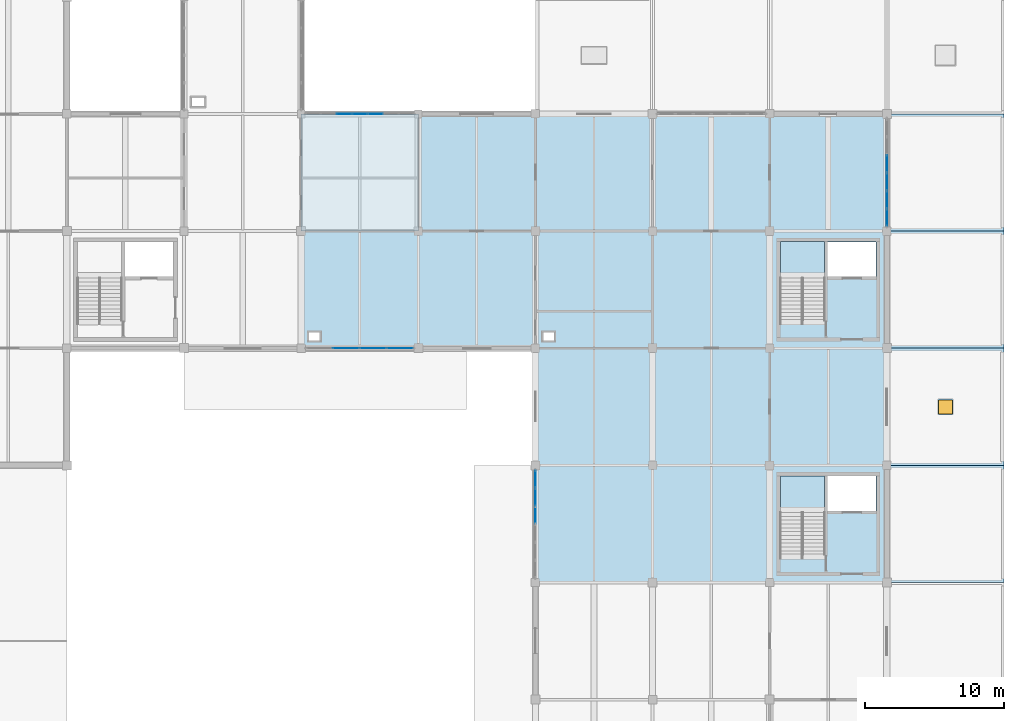
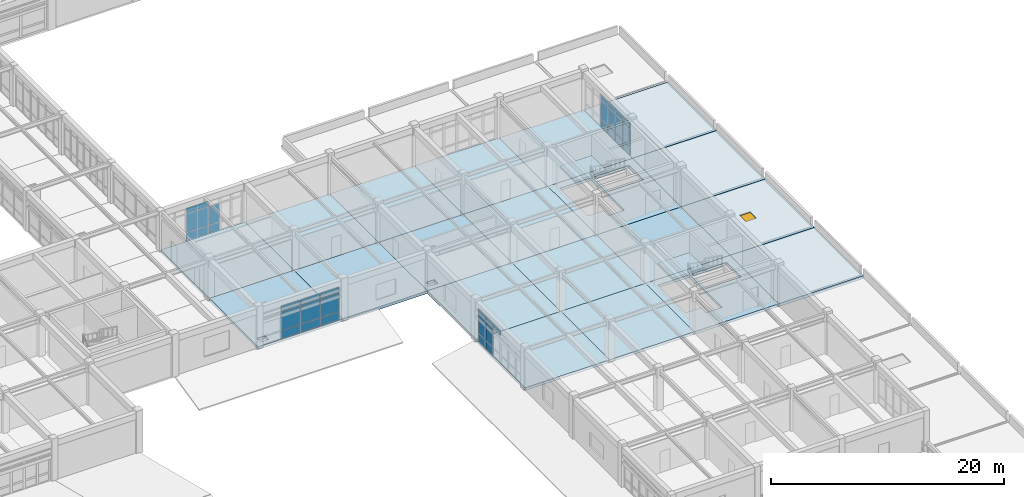
# One storey, part 55 of 78: 36 plates, 22 slabs, 1 window, 1 opening, 6 elements without a shape of their own.
"""IFC4 building model written with IfcOpenShell, lengths in metres."""

from ifc_helpers import new_model, si_unit, direction, frame, origin, origin_2d, place, context, subcontext, project, spatial, polyline, rectangle, outline, extrude, material, layer, layer_set, type_object, element, fill, aggregate, save


model = new_model("IFC4")

# Units and contexts
model_context = context("Model", 3, precision=1e-05, world=origin(), true_north=direction((0.0, 1.0)))
body_context = subcontext(model_context, "Body", "Model", "MODEL_VIEW")
ifc_project = project(units=[si_unit("LENGTHUNIT", "METRE"), si_unit("AREAUNIT", "SQUARE_METRE"), si_unit("VOLUMEUNIT", "CUBIC_METRE"), si_unit("PLANEANGLEUNIT", "RADIAN"), si_unit("MASSUNIT", "GRAM", prefix="KILO")], contexts=[model_context])

# Site, building, storey
site_placement = place(None, origin())
site = spatial("IfcSite", under=ifc_project, at=site_placement, CompositionType="ELEMENT")
building_placement = place(site_placement, origin())
building = spatial("IfcBuilding", under=site, at=building_placement, Name="Porcellanite Civic Hall", CompositionType="ELEMENT")
storey_placement = place(building_placement, frame((0.0, 0.0, 10.260009765625)))
storey = spatial("IfcBuildingStorey", under=building, at=storey_placement, Name="L02", CompositionType="ELEMENT", Elevation=10.260009765625)

# Curtain wall, plates
ifc_material_1 = material(Name="Anodised aluminium and solar laminated glass", Category="aluminium")
ifc_layer_1 = layer(ifc_material_1, 0.179931640625)
ifc_layer_set_1 = layer_set([ifc_layer_1], Name="Anodised aluminium and solar laminated glass")
curtain_wall_type_1 = type_object("IfcCurtainWallType", Name="CW-SYS06", PredefinedType="NOTDEFINED", material=ifc_layer_set_1)
curtain_wall_1_placement = place(storey_placement, origin())
curtain_wall_1 = element("IfcCurtainWall", 1, at=curtain_wall_1_placement, inside=storey, type_object=curtain_wall_type_1, Name="Curtain wall CW-170", PredefinedType="NOTDEFINED")
ifc_material_2 = material(Name="Cyclone laminated solar-control low-E glass", Category="glass")
ifc_layer_2 = layer(ifc_material_2, 0.02392578125)
ifc_layer_set_2 = layer_set([ifc_layer_2], Name="Cyclone laminated solar-control low-E glass")
plate_type_1 = type_object("IfcPlateType", Name="CWP-01", PredefinedType="CURTAIN_PANEL", material=ifc_layer_set_2)
plate_1_placement = place(storey_placement, frame((133.086181640625, 50.39990234375, 0.0498046875), z_axis=(0.0, 0.0, 1.0), x_axis=(-1.0, 0.0, 0.0)))
plate_1 = element("IfcPlate", 2, at=plate_1_placement, type_object=plate_type_1, Name="CW-170 panel 1.1", PredefinedType="CURTAIN_PANEL", context=body_context, shape_type="SweptSolid", body=[
    extrude(rectangle(XDim=1.845703125, YDim=0.02392578125, at=origin_2d()), origin(), (0.0, 0.0, 1.0), 0.824951171875),
])
plate_2_placement = place(storey_placement, frame((133.086181640625, 50.39990234375, 0.925048828125), z_axis=(0.0, 0.0, 1.0), x_axis=(-1.0, 0.0, 0.0)))
plate_2 = element("IfcPlate", 3, at=plate_2_placement, type_object=plate_type_1, Name="CW-170 panel 1.2", PredefinedType="CURTAIN_PANEL", context=body_context, shape_type="SweptSolid", body=[
    extrude(rectangle(XDim=1.845703125, YDim=0.02392578125, at=origin_2d()), origin(), (0.0, 0.0, 1.0), 1.93994140625),
])
plate_3_placement = place(storey_placement, frame((133.086181640625, 50.39990234375, 2.9150390625), z_axis=(0.0, 0.0, 1.0), x_axis=(-1.0, 0.0, 0.0)))
plate_3 = element("IfcPlate", 4, at=plate_3_placement, type_object=plate_type_1, Name="CW-170 panel 1.3", PredefinedType="CURTAIN_PANEL", context=body_context, shape_type="SweptSolid", body=[
    extrude(rectangle(XDim=1.845703125, YDim=0.02392578125, at=origin_2d()), origin(), (0.0, 0.0, 1.0), 0.574951171875),
])
plate_4_placement = place(storey_placement, frame((131.1591796875, 50.39990234375, 0.0498046875), z_axis=(0.0, 0.0, 1.0), x_axis=(-1.0, 0.0, 0.0)))
plate_4 = element("IfcPlate", 5, at=plate_4_placement, type_object=plate_type_1, Name="CW-170 panel 2.1", PredefinedType="CURTAIN_PANEL", context=body_context, shape_type="SweptSolid", body=[
    extrude(rectangle(XDim=1.878173828125, YDim=0.02392578125, at=origin_2d()), origin(), (0.0, 0.0, 1.0), 0.824951171875),
])
plate_5_placement = place(storey_placement, frame((131.1591796875, 50.39990234375, 0.925048828125), z_axis=(0.0, 0.0, 1.0), x_axis=(-1.0, 0.0, 0.0)))
plate_5 = element("IfcPlate", 6, at=plate_5_placement, type_object=plate_type_1, Name="CW-170 panel 2.2", PredefinedType="CURTAIN_PANEL", context=body_context, shape_type="SweptSolid", body=[
    extrude(rectangle(XDim=1.878173828125, YDim=0.02392578125, at=origin_2d()), origin(), (0.0, 0.0, 1.0), 1.93994140625),
])
plate_6_placement = place(storey_placement, frame((131.1591796875, 50.39990234375, 2.9150390625), z_axis=(0.0, 0.0, 1.0), x_axis=(-1.0, 0.0, 0.0)))
plate_6 = element("IfcPlate", 7, at=plate_6_placement, type_object=plate_type_1, Name="CW-170 panel 2.3", PredefinedType="CURTAIN_PANEL", context=body_context, shape_type="SweptSolid", body=[
    extrude(rectangle(XDim=1.878173828125, YDim=0.02392578125, at=origin_2d()), origin(), (0.0, 0.0, 1.0), 0.574951171875),
])
plate_7_placement = place(storey_placement, frame((129.2158203125, 50.39990234375, 0.0498046875), z_axis=(0.0, 0.0, 1.0), x_axis=(-1.0, 0.0, 0.0)))
plate_7 = element("IfcPlate", 8, at=plate_7_placement, type_object=plate_type_1, Name="CW-170 panel 3.1", PredefinedType="CURTAIN_PANEL", context=body_context, shape_type="SweptSolid", body=[
    extrude(rectangle(XDim=1.878173828125, YDim=0.02392578125, at=origin_2d()), origin(), (0.0, 0.0, 1.0), 0.824951171875),
])
plate_8_placement = place(storey_placement, frame((129.2158203125, 50.39990234375, 0.925048828125), z_axis=(0.0, 0.0, 1.0), x_axis=(-1.0, 0.0, 0.0)))
plate_8 = element("IfcPlate", 9, at=plate_8_placement, type_object=plate_type_1, Name="CW-170 panel 3.2", PredefinedType="CURTAIN_PANEL", context=body_context, shape_type="SweptSolid", body=[
    extrude(rectangle(XDim=1.878173828125, YDim=0.02392578125, at=origin_2d()), origin(), (0.0, 0.0, 1.0), 1.93994140625),
])
plate_9_placement = place(storey_placement, frame((129.2158203125, 50.39990234375, 2.9150390625), z_axis=(0.0, 0.0, 1.0), x_axis=(-1.0, 0.0, 0.0)))
plate_9 = element("IfcPlate", 10, at=plate_9_placement, type_object=plate_type_1, Name="CW-170 panel 3.3", PredefinedType="CURTAIN_PANEL", context=body_context, shape_type="SweptSolid", body=[
    extrude(rectangle(XDim=1.878173828125, YDim=0.02392578125, at=origin_2d()), origin(), (0.0, 0.0, 1.0), 0.574951171875),
])
aggregate(curtain_wall_1, [plate_1, plate_2, plate_3, plate_4, plate_5, plate_6, plate_7, plate_8, plate_9])

ifc_material_3 = material(Name="Anodised aluminium and solar laminated glass", Category="aluminium")
ifc_layer_3 = layer(ifc_material_3, 0.179931640625)
ifc_layer_set_3 = layer_set([ifc_layer_3], Name="Anodised aluminium and solar laminated glass")
curtain_wall_type_2 = type_object("IfcCurtainWallType", Name="CW-SYS07", PredefinedType="NOTDEFINED", material=ifc_layer_set_3)
curtain_wall_2_placement = place(storey_placement, origin())
curtain_wall_2 = element("IfcCurtainWall", 11, at=curtain_wall_2_placement, inside=storey, type_object=curtain_wall_type_2, Name="Curtain wall CW-171", PredefinedType="NOTDEFINED")
ifc_material_4 = material(Name="Cyclone laminated solar-control low-E glass", Category="glass")
ifc_layer_4 = layer(ifc_material_4, 0.02587890625)
ifc_layer_set_4 = layer_set([ifc_layer_4], Name="Cyclone laminated solar-control low-E glass")
plate_type_2 = type_object("IfcPlateType", Name="CWP-02", PredefinedType="CURTAIN_PANEL", material=ifc_layer_set_4)
plate_10_placement = place(storey_placement, frame((129.078857421875, 67.199951171875, 0.0498046875), z_axis=(0.0, 0.0, 1.0), x_axis=(1.0, 0.0, 0.0)))
plate_10 = element("IfcPlate", 12, at=plate_10_placement, type_object=plate_type_2, Name="CW-171 panel 3.1", PredefinedType="CURTAIN_PANEL", context=body_context, shape_type="SweptSolid", body=[
    extrude(rectangle(XDim=1.06103515625, YDim=0.02587890625, at=origin_2d()), origin(), (0.0, 0.0, 1.0), 0.824951171875),
])
plate_11_placement = place(storey_placement, frame((129.078857421875, 67.199951171875, 0.925048828125), z_axis=(0.0, 0.0, 1.0), x_axis=(1.0, 0.0, 0.0)))
plate_11 = element("IfcPlate", 13, at=plate_11_placement, type_object=plate_type_2, Name="CW-171 panel 3.2", PredefinedType="CURTAIN_PANEL", context=body_context, shape_type="SweptSolid", body=[
    extrude(rectangle(XDim=1.06103515625, YDim=0.02587890625, at=origin_2d()), origin(), (0.0, 0.0, 1.0), 1.93994140625),
])
plate_12_placement = place(storey_placement, frame((129.078857421875, 67.199951171875, 2.9150390625), z_axis=(0.0, 0.0, 1.0), x_axis=(1.0, 0.0, 0.0)))
plate_12 = element("IfcPlate", 14, at=plate_12_placement, type_object=plate_type_2, Name="CW-171 panel 3.3", PredefinedType="CURTAIN_PANEL", context=body_context, shape_type="SweptSolid", body=[
    extrude(rectangle(XDim=1.06103515625, YDim=0.02587890625, at=origin_2d()), origin(), (0.0, 0.0, 1.0), 0.574951171875),
])
plate_13_placement = place(storey_placement, frame((130.199951171875, 67.199951171875, 0.0498046875), z_axis=(0.0, 0.0, 1.0), x_axis=(1.0, 0.0, 0.0)))
plate_13 = element("IfcPlate", 15, at=plate_13_placement, type_object=plate_type_2, Name="CW-171 panel 4.1", PredefinedType="CURTAIN_PANEL", context=body_context, shape_type="SweptSolid", body=[
    extrude(rectangle(XDim=1.06103515625, YDim=0.02587890625, at=origin_2d()), origin(), (0.0, 0.0, 1.0), 0.824951171875),
])
plate_14_placement = place(storey_placement, frame((130.199951171875, 67.199951171875, 0.925048828125), z_axis=(0.0, 0.0, 1.0), x_axis=(1.0, 0.0, 0.0)))
plate_14 = element("IfcPlate", 16, at=plate_14_placement, type_object=plate_type_2, Name="CW-171 panel 4.2", PredefinedType="CURTAIN_PANEL", context=body_context, shape_type="SweptSolid", body=[
    extrude(rectangle(XDim=1.06103515625, YDim=0.02587890625, at=origin_2d()), origin(), (0.0, 0.0, 1.0), 1.93994140625),
])
plate_15_placement = place(storey_placement, frame((130.199951171875, 67.199951171875, 2.9150390625), z_axis=(0.0, 0.0, 1.0), x_axis=(1.0, 0.0, 0.0)))
plate_15 = element("IfcPlate", 17, at=plate_15_placement, type_object=plate_type_2, Name="CW-171 panel 4.3", PredefinedType="CURTAIN_PANEL", context=body_context, shape_type="SweptSolid", body=[
    extrude(rectangle(XDim=1.06103515625, YDim=0.02587890625, at=origin_2d()), origin(), (0.0, 0.0, 1.0), 0.574951171875),
])
plate_16_placement = place(storey_placement, frame((131.321044921875, 67.199951171875, 0.0498046875), z_axis=(0.0, 0.0, 1.0), x_axis=(1.0, 0.0, 0.0)))
plate_16 = element("IfcPlate", 18, at=plate_16_placement, type_object=plate_type_2, Name="CW-171 panel 5.1", PredefinedType="CURTAIN_PANEL", context=body_context, shape_type="SweptSolid", body=[
    extrude(rectangle(XDim=1.06103515625, YDim=0.02587890625, at=origin_2d()), origin(), (0.0, 0.0, 1.0), 0.824951171875),
])
plate_17_placement = place(storey_placement, frame((131.321044921875, 67.199951171875, 0.925048828125), z_axis=(0.0, 0.0, 1.0), x_axis=(1.0, 0.0, 0.0)))
plate_17 = element("IfcPlate", 19, at=plate_17_placement, type_object=plate_type_2, Name="CW-171 panel 5.2", PredefinedType="CURTAIN_PANEL", context=body_context, shape_type="SweptSolid", body=[
    extrude(rectangle(XDim=1.06103515625, YDim=0.02587890625, at=origin_2d()), origin(), (0.0, 0.0, 1.0), 1.93994140625),
])
aggregate(curtain_wall_2, [plate_10, plate_11, plate_12, plate_13, plate_14, plate_15, plate_16, plate_17])

ifc_material_5 = material(Name="Anodised aluminium and solar laminated glass", Category="aluminium")
ifc_layer_5 = layer(ifc_material_5, 0.179931640625)
ifc_layer_set_5 = layer_set([ifc_layer_5], Name="Anodised aluminium and solar laminated glass")
curtain_wall_type_3 = type_object("IfcCurtainWallType", Name="CW-SYS02", PredefinedType="NOTDEFINED", material=ifc_layer_set_5)
curtain_wall_3_placement = place(storey_placement, origin())
curtain_wall_3 = element("IfcCurtainWall", 20, at=curtain_wall_3_placement, inside=storey, type_object=curtain_wall_type_3, Name="Curtain wall CW-175", PredefinedType="NOTDEFINED")
plate_18_placement = place(storey_placement, frame((142.800048828125, 38.435302734375, 2.92236328125), z_axis=(0.0, 0.0, 1.0), x_axis=(0.0, 1.0, 0.0)))
plate_18 = element("IfcPlate", 21, at=plate_18_placement, type_object=plate_type_2, Name="CW-175 panel 4.3", PredefinedType="CURTAIN_PANEL", context=body_context, shape_type="SweptSolid", body=[
    extrude(rectangle(XDim=1.220458984375, YDim=0.02587890625, at=origin_2d()), origin(), (0.0, 0.0, 1.0), 0.552490234375),
])
plate_19_placement = place(storey_placement, frame((142.800048828125, 39.730712890625, 0.06494140625), z_axis=(0.0, 0.0, 1.0), x_axis=(0.0, 1.0, 0.0)))
plate_19 = element("IfcPlate", 22, at=plate_19_placement, type_object=plate_type_2, Name="CW-175 panel 5.1", PredefinedType="CURTAIN_PANEL", context=body_context, shape_type="SweptSolid", body=[
    extrude(rectangle(XDim=1.220458984375, YDim=0.02587890625, at=origin_2d()), origin(), (0.0, 0.0, 1.0), 0.802490234375),
])
plate_20_placement = place(storey_placement, frame((142.800048828125, 39.730712890625, 0.9326171875), z_axis=(0.0, 0.0, 1.0), x_axis=(0.0, 1.0, 0.0)))
plate_20 = element("IfcPlate", 23, at=plate_20_placement, type_object=plate_type_2, Name="CW-175 panel 5.2", PredefinedType="CURTAIN_PANEL", context=body_context, shape_type="SweptSolid", body=[
    extrude(rectangle(XDim=1.220458984375, YDim=0.02587890625, at=origin_2d()), origin(), (0.0, 0.0, 1.0), 1.925048828125),
])
plate_21_placement = place(storey_placement, frame((142.800048828125, 39.730712890625, 2.92236328125), z_axis=(0.0, 0.0, 1.0), x_axis=(0.0, 1.0, 0.0)))
plate_21 = element("IfcPlate", 24, at=plate_21_placement, type_object=plate_type_2, Name="CW-175 panel 5.3", PredefinedType="CURTAIN_PANEL", context=body_context, shape_type="SweptSolid", body=[
    extrude(rectangle(XDim=1.220458984375, YDim=0.02587890625, at=origin_2d()), origin(), (0.0, 0.0, 1.0), 0.552490234375),
])
plate_22_placement = place(storey_placement, frame((142.800048828125, 41.007568359375, 0.06494140625), z_axis=(0.0, 0.0, 1.0), x_axis=(0.0, 1.0, 0.0)))
plate_22 = element("IfcPlate", 25, at=plate_22_placement, type_object=plate_type_2, Name="CW-175 panel 6.1", PredefinedType="CURTAIN_PANEL", context=body_context, shape_type="SweptSolid", body=[
    extrude(rectangle(XDim=1.18310546875, YDim=0.02587890625, at=origin_2d()), origin(), (0.0, 0.0, 1.0), 0.802490234375),
])
plate_23_placement = place(storey_placement, frame((142.800048828125, 41.007568359375, 0.9326171875), z_axis=(0.0, 0.0, 1.0), x_axis=(0.0, 1.0, 0.0)))
plate_23 = element("IfcPlate", 26, at=plate_23_placement, type_object=plate_type_2, Name="CW-175 panel 6.2", PredefinedType="CURTAIN_PANEL", context=body_context, shape_type="SweptSolid", body=[
    extrude(rectangle(XDim=1.18310546875, YDim=0.02587890625, at=origin_2d()), origin(), (0.0, 0.0, 1.0), 1.925048828125),
])
plate_24_placement = place(storey_placement, frame((142.800048828125, 41.007568359375, 2.92236328125), z_axis=(0.0, 0.0, 1.0), x_axis=(0.0, 1.0, 0.0)))
plate_24 = element("IfcPlate", 27, at=plate_24_placement, type_object=plate_type_2, Name="CW-175 panel 6.3", PredefinedType="CURTAIN_PANEL", context=body_context, shape_type="SweptSolid", body=[
    extrude(rectangle(XDim=1.18310546875, YDim=0.02587890625, at=origin_2d()), origin(), (0.0, 0.0, 1.0), 0.552490234375),
])
aggregate(curtain_wall_3, [plate_18, plate_19, plate_20, plate_21, plate_22, plate_23, plate_24])

curtain_wall_4_placement = place(storey_placement, origin())
curtain_wall_4 = element("IfcCurtainWall", 28, at=curtain_wall_4_placement, inside=storey, type_object=curtain_wall_type_3, Name="Curtain wall CW-182", PredefinedType="NOTDEFINED")
plate_25_placement = place(storey_placement, frame((168.0, 63.63525390625, 0.06494140625), z_axis=(0.0, 0.0, 1.0), x_axis=(0.0, -1.0, 0.0)))
plate_25 = element("IfcPlate", 29, at=plate_25_placement, type_object=plate_type_2, Name="CW-182 panel 3.1", PredefinedType="CURTAIN_PANEL", context=body_context, shape_type="SweptSolid", body=[
    extrude(rectangle(XDim=1.220458984375, YDim=0.02587890625, at=origin_2d()), origin(), (0.0, 0.0, 1.0), 0.802490234375),
])
plate_26_placement = place(storey_placement, frame((168.0, 63.63525390625, 0.9326171875), z_axis=(0.0, 0.0, 1.0), x_axis=(0.0, -1.0, 0.0)))
plate_26 = element("IfcPlate", 30, at=plate_26_placement, type_object=plate_type_2, Name="CW-182 panel 3.2", PredefinedType="CURTAIN_PANEL", context=body_context, shape_type="SweptSolid", body=[
    extrude(rectangle(XDim=1.220458984375, YDim=0.02587890625, at=origin_2d()), origin(), (0.0, 0.0, 1.0), 1.925048828125),
])
plate_27_placement = place(storey_placement, frame((168.0, 63.63525390625, 2.92236328125), z_axis=(0.0, 0.0, 1.0), x_axis=(0.0, -1.0, 0.0)))
plate_27 = element("IfcPlate", 31, at=plate_27_placement, type_object=plate_type_2, Name="CW-182 panel 3.3", PredefinedType="CURTAIN_PANEL", context=body_context, shape_type="SweptSolid", body=[
    extrude(rectangle(XDim=1.220458984375, YDim=0.02587890625, at=origin_2d()), origin(), (0.0, 0.0, 1.0), 0.552490234375),
])
plate_28_placement = place(storey_placement, frame((168.0, 62.33984375, 0.06494140625), z_axis=(0.0, 0.0, 1.0), x_axis=(0.0, -1.0, 0.0)))
plate_28 = element("IfcPlate", 32, at=plate_28_placement, type_object=plate_type_2, Name="CW-182 panel 4.1", PredefinedType="CURTAIN_PANEL", context=body_context, shape_type="SweptSolid", body=[
    extrude(rectangle(XDim=1.220458984375, YDim=0.02587890625, at=origin_2d()), origin(), (0.0, 0.0, 1.0), 0.802490234375),
])
plate_29_placement = place(storey_placement, frame((168.0, 62.33984375, 0.9326171875), z_axis=(0.0, 0.0, 1.0), x_axis=(0.0, -1.0, 0.0)))
plate_29 = element("IfcPlate", 33, at=plate_29_placement, type_object=plate_type_2, Name="CW-182 panel 4.2", PredefinedType="CURTAIN_PANEL", context=body_context, shape_type="SweptSolid", body=[
    extrude(rectangle(XDim=1.220458984375, YDim=0.02587890625, at=origin_2d()), origin(), (0.0, 0.0, 1.0), 1.925048828125),
])
plate_30_placement = place(storey_placement, frame((168.0, 62.33984375, 2.92236328125), z_axis=(0.0, 0.0, 1.0), x_axis=(0.0, -1.0, 0.0)))
plate_30 = element("IfcPlate", 34, at=plate_30_placement, type_object=plate_type_2, Name="CW-182 panel 4.3", PredefinedType="CURTAIN_PANEL", context=body_context, shape_type="SweptSolid", body=[
    extrude(rectangle(XDim=1.220458984375, YDim=0.02587890625, at=origin_2d()), origin(), (0.0, 0.0, 1.0), 0.552490234375),
])
plate_31_placement = place(storey_placement, frame((168.0, 61.044189453125, 0.06494140625), z_axis=(0.0, 0.0, 1.0), x_axis=(0.0, -1.0, 0.0)))
plate_31 = element("IfcPlate", 35, at=plate_31_placement, type_object=plate_type_2, Name="CW-182 panel 5.1", PredefinedType="CURTAIN_PANEL", context=body_context, shape_type="SweptSolid", body=[
    extrude(rectangle(XDim=1.220458984375, YDim=0.02587890625, at=origin_2d()), origin(), (0.0, 0.0, 1.0), 0.802490234375),
])
plate_32_placement = place(storey_placement, frame((168.0, 61.044189453125, 0.9326171875), z_axis=(0.0, 0.0, 1.0), x_axis=(0.0, -1.0, 0.0)))
plate_32 = element("IfcPlate", 36, at=plate_32_placement, type_object=plate_type_2, Name="CW-182 panel 5.2", PredefinedType="CURTAIN_PANEL", context=body_context, shape_type="SweptSolid", body=[
    extrude(rectangle(XDim=1.220458984375, YDim=0.02587890625, at=origin_2d()), origin(), (0.0, 0.0, 1.0), 1.925048828125),
])
plate_33_placement = place(storey_placement, frame((168.0, 61.044189453125, 2.92236328125), z_axis=(0.0, 0.0, 1.0), x_axis=(0.0, -1.0, 0.0)))
plate_33 = element("IfcPlate", 37, at=plate_33_placement, type_object=plate_type_2, Name="CW-182 panel 5.3", PredefinedType="CURTAIN_PANEL", context=body_context, shape_type="SweptSolid", body=[
    extrude(rectangle(XDim=1.220458984375, YDim=0.02587890625, at=origin_2d()), origin(), (0.0, 0.0, 1.0), 0.552490234375),
])
plate_34_placement = place(storey_placement, frame((168.0, 59.767578125, 0.06494140625), z_axis=(0.0, 0.0, 1.0), x_axis=(0.0, -1.0, 0.0)))
plate_34 = element("IfcPlate", 38, at=plate_34_placement, type_object=plate_type_2, Name="CW-182 panel 6.1", PredefinedType="CURTAIN_PANEL", context=body_context, shape_type="SweptSolid", body=[
    extrude(rectangle(XDim=1.18310546875, YDim=0.02587890625, at=origin_2d()), origin(), (0.0, 0.0, 1.0), 0.802490234375),
])
plate_35_placement = place(storey_placement, frame((168.0, 59.767578125, 0.9326171875), z_axis=(0.0, 0.0, 1.0), x_axis=(0.0, -1.0, 0.0)))
plate_35 = element("IfcPlate", 39, at=plate_35_placement, type_object=plate_type_2, Name="CW-182 panel 6.2", PredefinedType="CURTAIN_PANEL", context=body_context, shape_type="SweptSolid", body=[
    extrude(rectangle(XDim=1.18310546875, YDim=0.02587890625, at=origin_2d()), origin(), (0.0, 0.0, 1.0), 1.925048828125),
])
plate_36_placement = place(storey_placement, frame((168.0, 59.767578125, 2.92236328125), z_axis=(0.0, 0.0, 1.0), x_axis=(0.0, -1.0, 0.0)))
plate_36 = element("IfcPlate", 40, at=plate_36_placement, type_object=plate_type_2, Name="CW-182 panel 6.3", PredefinedType="CURTAIN_PANEL", context=body_context, shape_type="SweptSolid", body=[
    extrude(rectangle(XDim=1.18310546875, YDim=0.02587890625, at=origin_2d()), origin(), (0.0, 0.0, 1.0), 0.552490234375),
])
aggregate(curtain_wall_4, [plate_25, plate_26, plate_27, plate_28, plate_29, plate_30, plate_31, plate_32, plate_33, plate_34, plate_35, plate_36])

# Stair, slab
ifc_material_6 = material(Name="Concrete N40 (40 MPa)", Category="concrete")
stair_type = type_object("IfcStairType", Name="STR-HT25", PredefinedType="HALF_TURN_STAIR", material=ifc_material_6)
stair_1_placement = place(storey_placement, origin())
stair_1 = element("IfcStair", 41, at=stair_1_placement, inside=storey, type_object=stair_type, Name="Fire stair ST-07 L02", PredefinedType="HALF_TURN_STAIR")
ifc_material_7 = material(Name="Concrete N40 (40 MPa)", Category="concrete")
ifc_layer_6 = layer(ifc_material_7, 0.179931640625)
ifc_layer_set_6 = layer_set([ifc_layer_6], Name="Concrete N40 (40 MPa)")
slab_type_1 = type_object("IfcSlabType", Name="LND-18", PredefinedType="LANDING", material=ifc_layer_set_6)
slab_1_placement = place(storey_placement, frame((0.0, 0.0, 2.159912109375)))
slab_1 = element("IfcSlab", 42, at=slab_1_placement, type_object=slab_type_1, Name="ST-07 landing 1", PredefinedType="LANDING", context=body_context, shape_type="SweptSolid", body=[
    extrude(outline(polyline([(160.360595703125, 38.625), (163.51953125, 38.625), (163.51953125, 41.239501953125), (160.360595703125, 41.239501953125), (160.360595703125, 38.625)])), origin(), (0.0, 0.0, 1.0), 0.18017578125),
])
aggregate(stair_1, [slab_1])

stair_2_placement = place(storey_placement, origin())
stair_2 = element("IfcStair", 43, at=stair_2_placement, inside=storey, type_object=stair_type, Name="Fire stair ST-08 L02", PredefinedType="HALF_TURN_STAIR")
slab_2_placement = place(storey_placement, frame((0.0, 0.0, 2.159912109375)))
slab_2 = element("IfcSlab", 44, at=slab_2_placement, type_object=slab_type_1, Name="ST-08 landing 1", PredefinedType="LANDING", context=body_context, shape_type="SweptSolid", body=[
    extrude(outline(polyline([(160.360595703125, 55.425048828125), (163.51953125, 55.425048828125), (163.51953125, 58.03955078125), (160.360595703125, 58.03955078125), (160.360595703125, 55.425048828125)])), origin(), (0.0, 0.0, 1.0), 0.18017578125),
])
aggregate(stair_2, [slab_2])

# Slabs
ifc_material_8 = material(Name="Concrete N40 (40 MPa)", Category="concrete")
ifc_layer_7 = layer(ifc_material_8, 0.280029296875)
ifc_layer_set_7 = layer_set([ifc_layer_7], Name="Concrete N40 (40 MPa)")
slab_type_2 = type_object("IfcSlabType", Name="SL-FL280", PredefinedType="FLOOR", material=ifc_layer_set_7)
slab_3_placement = place(storey_placement, frame((0.0, 0.0, -0.280029296875)))
element("IfcSlab", 45, at=slab_3_placement, inside=storey, type_object=slab_type_2, Name="Slab L02 bay 16-7", PredefinedType="FLOOR", context=body_context, shape_type="SweptSolid", body=[
    extrude(outline(polyline([(126.0, 50.39990234375), (134.39990234375, 50.39990234375), (134.39990234375, 58.800048828125), (126.0, 58.800048828125), (126.0, 50.39990234375)]), holes=[polyline([(126.550048828125, 50.949951171875), (127.35009765625, 50.949951171875), (127.35009765625, 51.550048828125), (126.550048828125, 51.550048828125), (126.550048828125, 50.949951171875)])]), origin(), (0.0, 0.0, 1.0), 0.280029296875),
])
slab_4_placement = place(storey_placement, frame((0.0, 0.0, -0.280029296875)))
element("IfcSlab", 46, at=slab_4_placement, inside=storey, type_object=slab_type_2, Name="Slab L02 bay 16-8", PredefinedType="FLOOR", context=body_context, shape_type="SweptSolid", body=[
    extrude(outline(polyline([(126.0, 58.800048828125), (134.39990234375, 58.800048828125), (134.39990234375, 67.199951171875), (126.0, 67.199951171875), (126.0, 58.800048828125)])), origin(), (0.0, 0.0, 1.0), 0.280029296875),
])
slab_5_placement = place(storey_placement, frame((0.0, 0.0, -0.280029296875)))
element("IfcSlab", 47, at=slab_5_placement, inside=storey, type_object=slab_type_2, Name="Slab L02 bay 17-7", PredefinedType="FLOOR", context=body_context, shape_type="SweptSolid", body=[
    extrude(outline(polyline([(134.39990234375, 50.39990234375), (142.800048828125, 50.39990234375), (142.800048828125, 58.800048828125), (134.39990234375, 58.800048828125), (134.39990234375, 50.39990234375)])), origin(), (0.0, 0.0, 1.0), 0.280029296875),
])
slab_6_placement = place(storey_placement, frame((0.0, 0.0, -0.280029296875)))
element("IfcSlab", 48, at=slab_6_placement, inside=storey, type_object=slab_type_2, Name="Slab L02 bay 17-8", PredefinedType="FLOOR", context=body_context, shape_type="SweptSolid", body=[
    extrude(outline(polyline([(134.39990234375, 58.800048828125), (142.800048828125, 58.800048828125), (142.800048828125, 67.199951171875), (134.39990234375, 67.199951171875), (134.39990234375, 58.800048828125)])), origin(), (0.0, 0.0, 1.0), 0.280029296875),
])
slab_7_placement = place(storey_placement, frame((0.0, 0.0, -0.280029296875)))
element("IfcSlab", 49, at=slab_7_placement, inside=storey, type_object=slab_type_2, Name="Slab L02 bay 18-5", PredefinedType="FLOOR", context=body_context, shape_type="SweptSolid", body=[
    extrude(outline(polyline([(142.800048828125, 33.60009765625), (151.199951171875, 33.60009765625), (151.199951171875, 42.0), (142.800048828125, 42.0), (142.800048828125, 33.60009765625)])), origin(), (0.0, 0.0, 1.0), 0.280029296875),
])
slab_8_placement = place(storey_placement, frame((0.0, 0.0, -0.280029296875)))
element("IfcSlab", 50, at=slab_8_placement, inside=storey, type_object=slab_type_2, Name="Slab L02 bay 18-6", PredefinedType="FLOOR", context=body_context, shape_type="SweptSolid", body=[
    extrude(outline(polyline([(142.800048828125, 42.0), (151.199951171875, 42.0), (151.199951171875, 50.39990234375), (142.800048828125, 50.39990234375), (142.800048828125, 42.0)])), origin(), (0.0, 0.0, 1.0), 0.280029296875),
])
slab_9_placement = place(storey_placement, frame((0.0, 0.0, -0.280029296875)))
element("IfcSlab", 51, at=slab_9_placement, inside=storey, type_object=slab_type_2, Name="Slab L02 bay 18-7", PredefinedType="FLOOR", context=body_context, shape_type="SweptSolid", body=[
    extrude(outline(polyline([(142.800048828125, 50.39990234375), (151.199951171875, 50.39990234375), (151.199951171875, 58.800048828125), (142.800048828125, 58.800048828125), (142.800048828125, 50.39990234375)]), holes=[polyline([(143.35009765625, 50.949951171875), (144.14990234375, 50.949951171875), (144.14990234375, 51.550048828125), (143.35009765625, 51.550048828125), (143.35009765625, 50.949951171875)])]), origin(), (0.0, 0.0, 1.0), 0.280029296875),
])
slab_10_placement = place(storey_placement, frame((0.0, 0.0, -0.280029296875)))
element("IfcSlab", 52, at=slab_10_placement, inside=storey, type_object=slab_type_2, Name="Slab L02 bay 18-8", PredefinedType="FLOOR", context=body_context, shape_type="SweptSolid", body=[
    extrude(outline(polyline([(142.800048828125, 58.800048828125), (151.199951171875, 58.800048828125), (151.199951171875, 67.199951171875), (142.800048828125, 67.199951171875), (142.800048828125, 58.800048828125)])), origin(), (0.0, 0.0, 1.0), 0.280029296875),
])
slab_11_placement = place(storey_placement, frame((0.0, 0.0, -0.280029296875)))
element("IfcSlab", 53, at=slab_11_placement, inside=storey, type_object=slab_type_2, Name="Slab L02 bay 19-5", PredefinedType="FLOOR", context=body_context, shape_type="SweptSolid", body=[
    extrude(outline(polyline([(151.199951171875, 33.60009765625), (159.60009765625, 33.60009765625), (159.60009765625, 42.0), (151.199951171875, 42.0), (151.199951171875, 33.60009765625)])), origin(), (0.0, 0.0, 1.0), 0.280029296875),
])
slab_12_placement = place(storey_placement, frame((0.0, 0.0, -0.280029296875)))
element("IfcSlab", 54, at=slab_12_placement, inside=storey, type_object=slab_type_2, Name="Slab L02 bay 19-6", PredefinedType="FLOOR", context=body_context, shape_type="SweptSolid", body=[
    extrude(outline(polyline([(151.199951171875, 42.0), (159.60009765625, 42.0), (159.60009765625, 50.39990234375), (151.199951171875, 50.39990234375), (151.199951171875, 42.0)])), origin(), (0.0, 0.0, 1.0), 0.280029296875),
])
slab_13_placement = place(storey_placement, frame((0.0, 0.0, -0.280029296875)))
element("IfcSlab", 55, at=slab_13_placement, inside=storey, type_object=slab_type_2, Name="Slab L02 bay 19-7", PredefinedType="FLOOR", context=body_context, shape_type="SweptSolid", body=[
    extrude(outline(polyline([(151.199951171875, 50.39990234375), (159.60009765625, 50.39990234375), (159.60009765625, 58.800048828125), (151.199951171875, 58.800048828125), (151.199951171875, 50.39990234375)])), origin(), (0.0, 0.0, 1.0), 0.280029296875),
])
slab_14_placement = place(storey_placement, frame((0.0, 0.0, -0.280029296875)))
element("IfcSlab", 56, at=slab_14_placement, inside=storey, type_object=slab_type_2, Name="Slab L02 bay 19-8", PredefinedType="FLOOR", context=body_context, shape_type="SweptSolid", body=[
    extrude(outline(polyline([(151.199951171875, 58.800048828125), (159.60009765625, 58.800048828125), (159.60009765625, 67.199951171875), (151.199951171875, 67.199951171875), (151.199951171875, 58.800048828125)])), origin(), (0.0, 0.0, 1.0), 0.280029296875),
])
slab_15_placement = place(storey_placement, frame((0.0, 0.0, -0.280029296875)))
element("IfcSlab", 57, at=slab_15_placement, inside=storey, type_object=slab_type_2, Name="Slab L02 bay 20-5", PredefinedType="FLOOR", context=body_context, shape_type="SweptSolid", body=[
    extrude(outline(polyline([(159.60009765625, 33.60009765625), (168.0, 33.60009765625), (168.0, 42.0), (159.60009765625, 42.0), (159.60009765625, 33.60009765625)]), holes=[polyline([(160.3798828125, 36.449951171875), (161.9599609375, 36.449951171875), (161.9599609375, 35.60009765625), (163.52001953125, 35.60009765625), (163.52001953125, 41.219970703125), (160.3798828125, 41.219970703125), (160.3798828125, 36.449951171875)]), polyline([(163.760009765625, 38.739990234375), (167.219970703125, 38.739990234375), (167.219970703125, 41.219970703125), (163.760009765625, 41.219970703125), (163.760009765625, 38.739990234375)])]), origin(), (0.0, 0.0, 1.0), 0.280029296875),
])
slab_16_placement = place(storey_placement, frame((0.0, 0.0, -0.280029296875)))
element("IfcSlab", 58, at=slab_16_placement, inside=storey, type_object=slab_type_2, Name="Slab L02 bay 20-6", PredefinedType="FLOOR", context=body_context, shape_type="SweptSolid", body=[
    extrude(outline(polyline([(159.60009765625, 42.0), (168.0, 42.0), (168.0, 50.39990234375), (159.60009765625, 50.39990234375), (159.60009765625, 42.0)])), origin(), (0.0, 0.0, 1.0), 0.280029296875),
])
slab_17_placement = place(storey_placement, frame((0.0, 0.0, -0.280029296875)))
element("IfcSlab", 59, at=slab_17_placement, inside=storey, type_object=slab_type_2, Name="Slab L02 bay 20-7", PredefinedType="FLOOR", context=body_context, shape_type="SweptSolid", body=[
    extrude(outline(polyline([(159.60009765625, 50.39990234375), (168.0, 50.39990234375), (168.0, 58.800048828125), (159.60009765625, 58.800048828125), (159.60009765625, 50.39990234375)]), holes=[polyline([(160.3798828125, 53.25), (161.9599609375, 53.25), (161.9599609375, 52.39990234375), (163.52001953125, 52.39990234375), (163.52001953125, 58.02001953125), (160.3798828125, 58.02001953125), (160.3798828125, 53.25)]), polyline([(163.760009765625, 55.5400390625), (167.219970703125, 55.5400390625), (167.219970703125, 58.02001953125), (163.760009765625, 58.02001953125), (163.760009765625, 55.5400390625)])]), origin(), (0.0, 0.0, 1.0), 0.280029296875),
])
slab_18_placement = place(storey_placement, frame((0.0, 0.0, -0.280029296875)))
element("IfcSlab", 60, at=slab_18_placement, inside=storey, type_object=slab_type_2, Name="Slab L02 bay 20-8", PredefinedType="FLOOR", context=body_context, shape_type="SweptSolid", body=[
    extrude(outline(polyline([(159.60009765625, 58.800048828125), (168.0, 58.800048828125), (168.0, 67.199951171875), (159.60009765625, 67.199951171875), (159.60009765625, 58.800048828125)])), origin(), (0.0, 0.0, 1.0), 0.280029296875),
])
ifc_material_9 = material(Name="Concrete N40 (40 MPa)", Category="concrete")
ifc_layer_8 = layer(ifc_material_9, 0.300048828125)
ifc_layer_set_8 = layer_set([ifc_layer_8], Name="Concrete N40 (40 MPa)")
slab_type_3 = type_object("IfcSlabType", Name="SL-RF300", PredefinedType="ROOF", material=ifc_layer_set_8)
slab_19_placement = place(storey_placement, frame((0.0, 0.0, -0.300048828125)))
element("IfcSlab", 61, at=slab_19_placement, inside=storey, type_object=slab_type_3, Name="Roof slab L02 21-5", PredefinedType="ROOF", context=body_context, shape_type="SweptSolid", body=[
    extrude(outline(polyline([(168.0, 33.60009765625), (176.39990234375, 33.60009765625), (176.39990234375, 42.0), (168.0, 42.0), (168.0, 33.60009765625)])), origin(), (0.0, 0.0, 1.0), 0.300048828125),
])

# Slab, opening, window
slab_20_placement = place(storey_placement, frame((0.0, 0.0, -0.300048828125)))
slab_20 = element("IfcSlab", 62, at=slab_20_placement, inside=storey, type_object=slab_type_3, Name="Roof slab L02 21-6", PredefinedType="ROOF", context=body_context, shape_type="SweptSolid", body=[
    extrude(outline(polyline([(168.0, 42.0), (176.39990234375, 42.0), (176.39990234375, 50.39990234375), (168.0, 50.39990234375), (168.0, 42.0)])), origin(), (0.0, 0.0, 1.0), 0.300048828125),
])
opening_placement = place(slab_20_placement, frame((172.199951171875, 46.199951171875, 0.0)))
opening = element("IfcOpeningElement", 63, at=opening_placement, cuts=slab_20, Name="Opening SK6", PredefinedType="OPENING", context=body_context, shape_type="SweptSolid", body=[
    extrude(rectangle(XDim=1.0, YDim=1.0, at=origin_2d()), origin(), (0.0, 0.0, 1.0), 0.300048828125),
])
ifc_material_10 = material(Name="Cyclone laminated low-E glazing in anodised aluminium frame", Category="aluminium")
window_type = type_object("IfcWindowType", Name="SK-06", PartitioningType="SINGLE_PANEL", PredefinedType="SKYLIGHT", material=ifc_material_10)
window_placement = place(opening_placement, frame((0.0, 0.0, 0.25)))
window = element("IfcWindow", 64, at=window_placement, inside=storey, type_object=window_type, Name="Roof skylight SK6 L02 21-6", OverallHeight=1.0, OverallWidth=1.0, PartitioningType="SINGLE_PANEL", PredefinedType="SKYLIGHT", context=body_context, shape_type="SweptSolid", body=[
    extrude(rectangle(XDim=1.0, YDim=1.0, at=origin_2d()), origin(), (0.0, 0.0, 1.0), 0.050048828125),
])
fill(opening, window)

# Slabs
slab_21_placement = place(storey_placement, frame((0.0, 0.0, -0.300048828125)))
element("IfcSlab", 65, at=slab_21_placement, inside=storey, type_object=slab_type_3, Name="Roof slab L02 21-7", PredefinedType="ROOF", context=body_context, shape_type="SweptSolid", body=[
    extrude(outline(polyline([(168.0, 50.39990234375), (176.39990234375, 50.39990234375), (176.39990234375, 58.800048828125), (168.0, 58.800048828125), (168.0, 50.39990234375)])), origin(), (0.0, 0.0, 1.0), 0.300048828125),
])
slab_22_placement = place(storey_placement, frame((0.0, 0.0, -0.300048828125)))
element("IfcSlab", 66, at=slab_22_placement, inside=storey, type_object=slab_type_3, Name="Roof slab L02 21-8", PredefinedType="ROOF", context=body_context, shape_type="SweptSolid", body=[
    extrude(outline(polyline([(168.0, 58.800048828125), (176.39990234375, 58.800048828125), (176.39990234375, 67.199951171875), (168.0, 67.199951171875), (168.0, 58.800048828125)])), origin(), (0.0, 0.0, 1.0), 0.300048828125),
])

save(model, "model.ifc")
